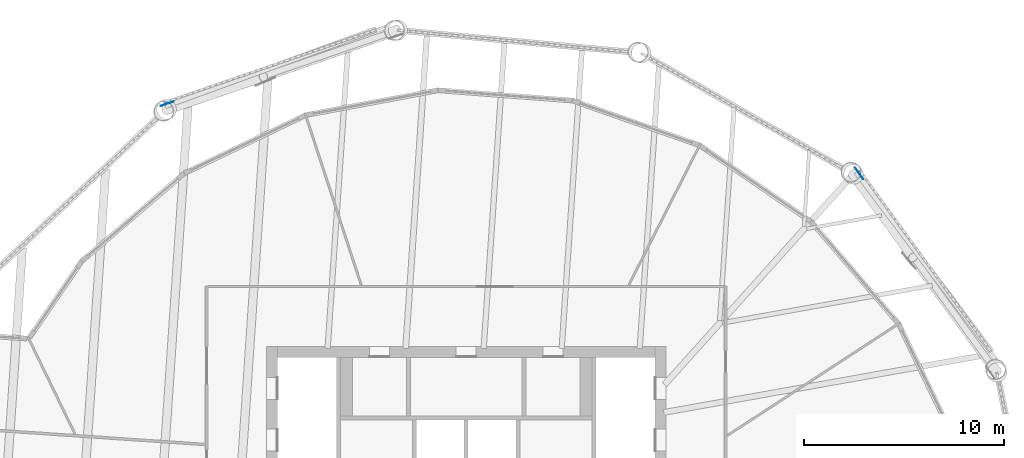
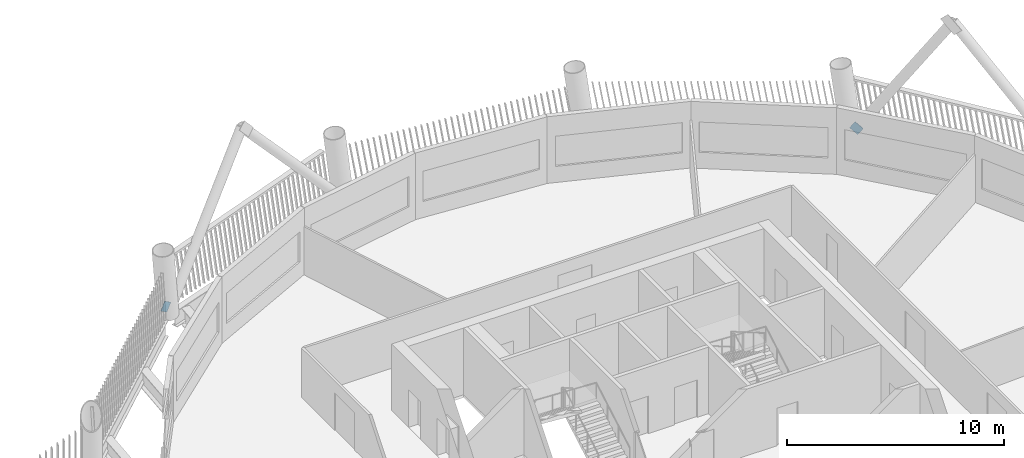
# One storey, part 14 of 22: 2 discrete accessories.
"""IFC4 building model written with IfcOpenShell, lengths in metres."""

from ifc_helpers import new_model, si_unit, direction, frame, origin, origin_2d, place, context, subcontext, project, spatial, rectangle, extrude, material, material_profile, profile_set, type_object, element, save


model = new_model("IFC4")

# Units and contexts
model_context = context("Model", 3, precision=1e-05, world=origin(), true_north=direction((0.0, 1.0)))
body_context = subcontext(model_context, "Body", "Model", "MODEL_VIEW")
ifc_project = project(units=[si_unit("LENGTHUNIT", "METRE"), si_unit("AREAUNIT", "SQUARE_METRE"), si_unit("VOLUMEUNIT", "CUBIC_METRE"), si_unit("PLANEANGLEUNIT", "RADIAN"), si_unit("MASSUNIT", "GRAM", prefix="KILO")], contexts=[model_context])

# Site, building, storey
site_placement = place(None, origin())
site = spatial("IfcSite", under=ifc_project, at=site_placement, CompositionType="ELEMENT")
building_placement = place(site_placement, origin())
building = spatial("IfcBuilding", under=site, at=building_placement, Name="Tarsis Ring Headquarters", CompositionType="ELEMENT")
storey_placement = place(building_placement, frame((0.0, 0.0, 270.800048828125)))
storey = spatial("IfcBuildingStorey", under=building, at=storey_placement, Name="L63", CompositionType="ELEMENT", Elevation=270.800048828125)

# Discrete accessories
ifc_material = material(Name="Structural steel S355", Category="steel")
ifc_material_profile = material_profile(ifc_material, rectangle(XDim=0.02490234375, YDim=0.5, at=origin_2d()), Name="PL 25x500")
ifc_profile_set = profile_set([ifc_material_profile], Name="Structural steel S355")
discrete_accessory_type = type_object("IfcDiscreteAccessoryType", Name="Gusset plate Exo brace 25", PredefinedType="BRACKET", material=ifc_profile_set)
for number, where, z_axis, x_axis, name in (
    (1, (19.608154296875, 21.78369140625, 0.0), (0.321228679416, -0.446205186909, 0.835292204379), (0.811568023433, 0.584257942471, 0.0), "Gusset plate GP5"),
    (2, (-15.11083984375, 25.113037109375, 0.0), (0.520424562227, 0.177217744923, 0.835315596595), (-0.322348454886, 0.946621082394, 0.0), "Gusset plate GP5"),
):
    element("IfcDiscreteAccessory", number, at=place(storey_placement, frame(where, z_axis=z_axis, x_axis=x_axis)), inside=storey, type_object=discrete_accessory_type, Name=name, PredefinedType="BRACKET", context=body_context, shape_type="SweptSolid", body=[
        extrude(rectangle(XDim=0.02490234375, YDim=0.5, at=origin_2d()), origin(), (0.0, 0.0, 1.0), 0.5),
    ])

save(model, "model.ifc")
